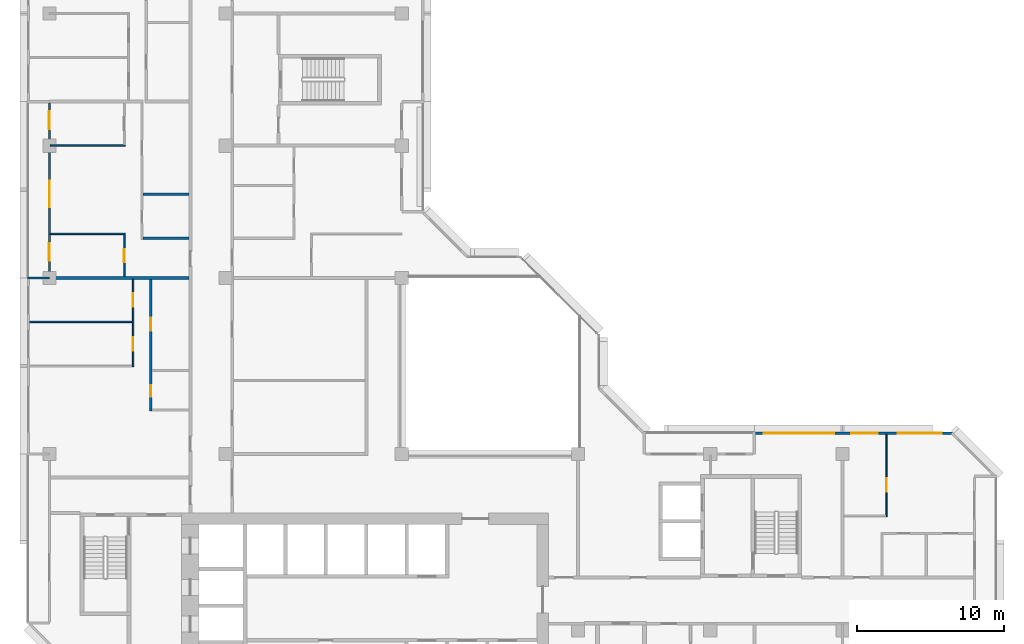
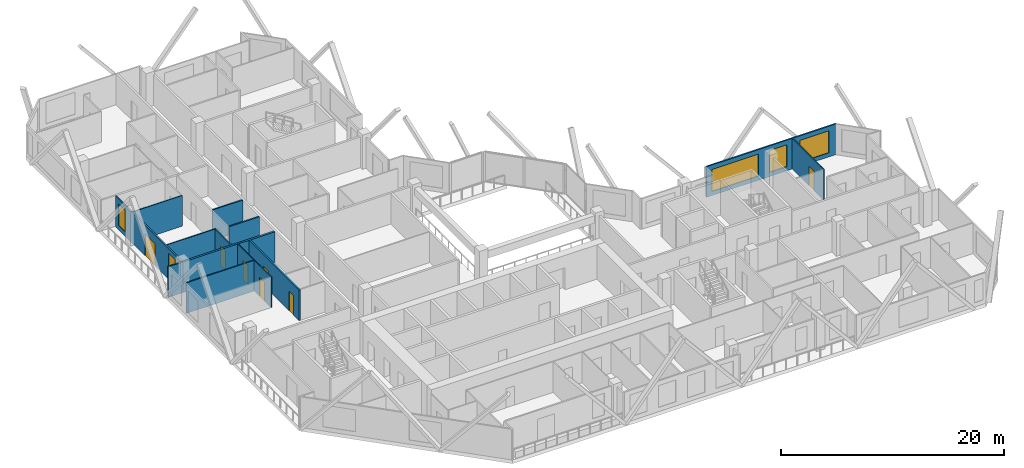
# One storey, part 8 of 14: 13 walls, 7 doors, 5 windows, 12 openings.
"""IFC4 building model written with IfcOpenShell, lengths in metres."""

from ifc_helpers import new_model, si_unit, direction, frame, frame_2d, origin, place, context, subcontext, project, spatial, rectangle, extrude, material, layer, layer_set, type_object, element, fill, save


model = new_model("IFC4")

# Units and contexts
model_context = context("Model", 3, precision=1e-05, world=origin(), true_north=direction((0.0, 1.0)))
body_context = subcontext(model_context, "Body", "Model", "MODEL_VIEW")
ifc_project = project(units=[si_unit("LENGTHUNIT", "METRE"), si_unit("AREAUNIT", "SQUARE_METRE"), si_unit("VOLUMEUNIT", "CUBIC_METRE"), si_unit("PLANEANGLEUNIT", "RADIAN"), si_unit("MASSUNIT", "GRAM", prefix="KILO")], contexts=[model_context])

# Site, building, storey
site_placement = place(None, origin())
site = spatial("IfcSite", under=ifc_project, at=site_placement, CompositionType="ELEMENT")
building_placement = place(site_placement, origin())
building = spatial("IfcBuilding", under=site, at=building_placement, Name="Chenar Terraces", CompositionType="ELEMENT")
storey_placement = place(building_placement, frame((0.0, 0.0, 179.89990234375)))
storey = spatial("IfcBuildingStorey", under=building, at=storey_placement, Name="L41", CompositionType="ELEMENT", Elevation=179.89990234375)

# Wall, openings, windows
ifc_material_1 = material(Name="Aluminium framed glazing", Category="aluminium")
ifc_layer_1 = layer(ifc_material_1, 0.14990234375)
ifc_layer_set_1 = layer_set([ifc_layer_1], Name="Aluminium framed glazing")
wall_type_1 = type_object("IfcWallType", Name="Glazed flush facade wall 150", PredefinedType="SOLIDWALL", material=ifc_layer_set_1)
wall_1_placement = place(storey_placement, frame((61.5, 25.425048828125, 0.0), z_axis=(0.0, 0.0, 1.0), x_axis=(-1.0, 0.0, 0.0)))
wall_1 = element("IfcWall", 1, at=wall_1_placement, inside=storey, type_object=wall_type_1, Name="Glazed flush facade wall", PredefinedType="SOLIDWALL", context=body_context, shape_type="SweptSolid", body=[
    extrude(rectangle(XDim=13.425048828125, YDim=0.14990234375, at=frame_2d((6.71240234375, 0.0))), origin(), (0.0, 0.0, 1.0), 3.35009765625),
])
opening_1_placement = place(wall_1_placement, frame((0.75, 0.0, 0.449951171875)))
opening_1 = element("IfcOpeningElement", 2, at=opening_1_placement, cuts=wall_1, Name="Opening W300x240", PredefinedType="OPENING", context=body_context, shape_type="SweptSolid", body=[
    extrude(rectangle(XDim=3.0, YDim=2.39990234375, at=frame_2d((1.5, 1.199951171875))), frame((0.0, 0.0849609375, 0.0), z_axis=(0.0, -1.0, 0.0), x_axis=(1.0, 0.0, 0.0)), (0.0, 0.0, 1.0), 0.169921875),
])
opening_2_placement = place(wall_1_placement, frame((5.10009765625, 0.0, 0.449951171875)))
opening_2 = element("IfcOpeningElement", 3, at=opening_2_placement, cuts=wall_1, Name="Opening W180x240", PredefinedType="OPENING", context=body_context, shape_type="SweptSolid", body=[
    extrude(rectangle(XDim=1.800048828125, YDim=2.39990234375, at=frame_2d((0.89990234375, 1.199951171875))), frame((0.0, 0.0849609375, 0.0), z_axis=(0.0, -1.0, 0.0), x_axis=(1.0, 0.0, 0.0)), (0.0, 0.0, 1.0), 0.169921875),
])
opening_3_placement = place(wall_1_placement, frame((8.0625, 0.0, 0.449951171875)))
opening_3 = element("IfcOpeningElement", 4, at=opening_3_placement, cuts=wall_1, Name="Opening W480x240", PredefinedType="OPENING", context=body_context, shape_type="SweptSolid", body=[
    extrude(rectangle(XDim=4.800048828125, YDim=2.39990234375, at=frame_2d((2.39990234375, 1.199951171875))), frame((0.0, 0.0849609375, 0.0), z_axis=(0.0, -1.0, 0.0), x_axis=(1.0, 0.0, 0.0)), (0.0, 0.0, 1.0), 0.169921875),
])
ifc_material_2 = material(Name="Low emissivity double glazing, aluminium frame", Category="aluminium")
window_type_1 = type_object("IfcWindowType", Name="Fixed light 1800 x 2400", PartitioningType="SINGLE_PANEL", PredefinedType="WINDOW", material=ifc_material_2)
window_1_placement = place(opening_2_placement, origin())
window_1 = element("IfcWindow", 5, at=window_1_placement, inside=storey, type_object=window_type_1, Name="Window", OverallHeight=2.39990234375, OverallWidth=1.800048828125, PartitioningType="SINGLE_PANEL", PredefinedType="WINDOW", context=body_context, shape_type="SweptSolid", body=[
    extrude(rectangle(XDim=1.800048828125, YDim=2.39990234375, at=frame_2d((0.89990234375, 1.199951171875))), frame((0.0, 0.030029296875, 0.0), z_axis=(0.0, -1.0, 0.0), x_axis=(1.0, 0.0, 0.0)), (0.0, 0.0, 1.0), 0.06005859375),
])
fill(opening_2, window_1)
ifc_material_3 = material(Name="Low emissivity double glazing, aluminium frame", Category="aluminium")
window_type_2 = type_object("IfcWindowType", Name="Fixed light 3000 x 2400", PartitioningType="SINGLE_PANEL", PredefinedType="WINDOW", material=ifc_material_3)
window_2_placement = place(opening_1_placement, origin())
window_2 = element("IfcWindow", 6, at=window_2_placement, inside=storey, type_object=window_type_2, Name="Window", OverallHeight=2.39990234375, OverallWidth=3.0, PartitioningType="SINGLE_PANEL", PredefinedType="WINDOW", context=body_context, shape_type="SweptSolid", body=[
    extrude(rectangle(XDim=3.0, YDim=2.39990234375, at=frame_2d((1.5, 1.199951171875))), frame((0.0, 0.030029296875, 0.0), z_axis=(0.0, -1.0, 0.0), x_axis=(1.0, 0.0, 0.0)), (0.0, 0.0, 1.0), 0.06005859375),
])
fill(opening_1, window_2)
ifc_material_4 = material(Name="Low emissivity double glazing, aluminium frame", Category="aluminium")
window_type_3 = type_object("IfcWindowType", Name="Fixed light 4800 x 2400", PartitioningType="SINGLE_PANEL", PredefinedType="WINDOW", material=ifc_material_4)
window_3_placement = place(opening_3_placement, origin())
window_3 = element("IfcWindow", 7, at=window_3_placement, inside=storey, type_object=window_type_3, Name="Window", OverallHeight=2.39990234375, OverallWidth=4.800048828125, PartitioningType="SINGLE_PANEL", PredefinedType="WINDOW", context=body_context, shape_type="SweptSolid", body=[
    extrude(rectangle(XDim=4.800048828125, YDim=2.39990234375, at=frame_2d((2.39990234375, 1.199951171875))), frame((0.0, 0.030029296875, 0.0), z_axis=(0.0, -1.0, 0.0), x_axis=(1.0, 0.0, 0.0)), (0.0, 0.0, 1.0), 0.06005859375),
])
fill(opening_3, window_3)

# Wall, openings, windows, door
ifc_material_5 = material(Name="Aluminium framed glazing", Category="aluminium")
ifc_layer_2 = layer(ifc_material_5, 0.14990234375)
ifc_layer_set_2 = layer_set([ifc_layer_2], Name="Aluminium framed glazing")
wall_type_2 = type_object("IfcWallType", Name="Glazed loggia back wall 150", PredefinedType="SOLIDWALL", material=ifc_layer_set_2)
wall_2_placement = place(storey_placement, frame((0.0, 47.925048828125, 0.0), z_axis=(0.0, 0.0, 1.0), x_axis=(0.0, -1.0, 0.0)))
wall_2 = element("IfcWall", 8, at=wall_2_placement, inside=storey, type_object=wall_type_2, Name="Glazed loggia back wall", PredefinedType="SOLIDWALL", context=body_context, shape_type="SweptSolid", body=[
    extrude(rectangle(XDim=11.85009765625, YDim=0.14990234375, at=frame_2d((5.925048828125, 0.0))), origin(), (0.0, 0.0, 1.0), 3.35009765625),
])
opening_4_placement = place(wall_2_placement, frame((0.58740234375, 0.0, 0.449951171875)))
opening_4 = element("IfcOpeningElement", 9, at=opening_4_placement, cuts=wall_2, Name="Opening W120x240", PredefinedType="OPENING", context=body_context, shape_type="SweptSolid", body=[
    extrude(rectangle(XDim=1.199951171875, YDim=2.39990234375, at=frame_2d((0.60009765625, 1.199951171875))), frame((0.0, 0.0849609375, 0.0), z_axis=(0.0, -1.0, 0.0), x_axis=(1.0, 0.0, 0.0)), (0.0, 0.0, 1.0), 0.169921875),
])
opening_5_placement = place(wall_2_placement, frame((5.300048828125, 0.0, 0.0)))
opening_5 = element("IfcOpeningElement", 10, at=opening_5_placement, cuts=wall_2, Name="Opening DL41-G3", PredefinedType="OPENING", context=body_context, shape_type="SweptSolid", body=[
    extrude(rectangle(XDim=1.800048828125, YDim=2.39990234375, at=frame_2d((0.89990234375, 1.199951171875))), frame((0.0, 0.0849609375, 0.0), z_axis=(0.0, -1.0, 0.0), x_axis=(1.0, 0.0, 0.0)), (0.0, 0.0, 1.0), 0.169921875),
])
opening_6_placement = place(wall_2_placement, frame((9.550048828125, 0.0, 0.449951171875)))
opening_6 = element("IfcOpeningElement", 11, at=opening_6_placement, cuts=wall_2, Name="Opening W120x240", PredefinedType="OPENING", context=body_context, shape_type="SweptSolid", body=[
    extrude(rectangle(XDim=1.199951171875, YDim=2.39990234375, at=frame_2d((0.60009765625, 1.199951171875))), frame((0.0, 0.0849609375, 0.0), z_axis=(0.0, -1.0, 0.0), x_axis=(1.0, 0.0, 0.0)), (0.0, 0.0, 1.0), 0.169921875),
])
ifc_material_6 = material(Name="Low emissivity double glazing, aluminium frame", Category="aluminium")
window_type_4 = type_object("IfcWindowType", Name="Fixed light 1200 x 2400", PartitioningType="SINGLE_PANEL", PredefinedType="WINDOW", material=ifc_material_6)
window_4_placement = place(opening_4_placement, origin())
window_4 = element("IfcWindow", 12, at=window_4_placement, inside=storey, type_object=window_type_4, Name="Window", OverallHeight=2.39990234375, OverallWidth=1.199951171875, PartitioningType="SINGLE_PANEL", PredefinedType="WINDOW", context=body_context, shape_type="SweptSolid", body=[
    extrude(rectangle(XDim=1.199951171875, YDim=2.39990234375, at=frame_2d((0.60009765625, 1.199951171875))), frame((0.0, 0.030029296875, 0.0), z_axis=(0.0, -1.0, 0.0), x_axis=(1.0, 0.0, 0.0)), (0.0, 0.0, 1.0), 0.06005859375),
])
fill(opening_4, window_4)
window_5_placement = place(opening_6_placement, origin())
window_5 = element("IfcWindow", 13, at=window_5_placement, inside=storey, type_object=window_type_4, Name="Window", OverallHeight=2.39990234375, OverallWidth=1.199951171875, PartitioningType="SINGLE_PANEL", PredefinedType="WINDOW", context=body_context, shape_type="SweptSolid", body=[
    extrude(rectangle(XDim=1.199951171875, YDim=2.39990234375, at=frame_2d((0.60009765625, 1.199951171875))), frame((0.0, 0.030029296875, 0.0), z_axis=(0.0, -1.0, 0.0), x_axis=(1.0, 0.0, 0.0)), (0.0, 0.0, 1.0), 0.06005859375),
])
fill(opening_6, window_5)
ifc_material_7 = material(Name="Low emissivity double glazing, aluminium frame", Category="aluminium")
door_type_1 = type_object("IfcDoorType", Name="Loggia glazed double door 1800 x 2400", OperationType="DOUBLE_DOOR_SINGLE_SWING", PredefinedType="DOOR", material=ifc_material_7)
door_1_placement = place(opening_5_placement, frame((1.800048828125, 0.0, 0.0), z_axis=(0.0, 0.0, 1.0), x_axis=(-1.0, 0.0, 0.0)))
door_1 = element("IfcDoor", 14, at=door_1_placement, inside=storey, type_object=door_type_1, Name="Loggia glazed door", OperationType="DOUBLE_DOOR_SINGLE_SWING", OverallHeight=2.39990234375, OverallWidth=1.800048828125, PredefinedType="DOOR", context=body_context, shape_type="SweptSolid", body=[
    extrude(rectangle(XDim=1.800048828125, YDim=2.39990234375, at=frame_2d((0.89990234375, 1.199951171875))), frame((0.0, 0.02490234375, 0.0), z_axis=(0.0, -1.0, 0.0), x_axis=(1.0, 0.0, 0.0)), (0.0, 0.0, 1.0), 0.050048828125),
])
fill(opening_5, door_1)

# Walls
ifc_material_8 = material(Name="Gypsum board on steel studs", Category="steel")
ifc_layer_3 = layer(ifc_material_8, 0.10009765625)
ifc_layer_set_3 = layer_set([ifc_layer_3], Name="Gypsum board on steel studs")
wall_type_3 = type_object("IfcWallType", Name="Gypsum partition 100", PredefinedType="PARTITIONING", material=ifc_layer_set_3)
wall_3_placement = place(storey_placement, frame((-1.35107421875, 33.0, 0.0), z_axis=(0.0, 0.0, 1.0), x_axis=(1.0, 0.0, 0.0)))
element("IfcWall", 15, at=wall_3_placement, inside=storey, type_object=wall_type_3, Name="Partition L41-001", PredefinedType="PARTITIONING", context=body_context, shape_type="SweptSolid", body=[
    extrude(rectangle(XDim=7.0009765625, YDim=0.10009765625, at=frame_2d((3.50048828125, 0.0))), origin(), (0.0, 0.0, 1.0), 3.35009765625),
])
for number, where, z_axis, x_axis, name in (
    (16, (0.073974609375, 39.0, 0.0), (0.0, 0.0, 1.0), (1.0, 0.0, 0.0), "Partition L41-010"),
    (17, (0.073974609375, 45.0, 0.0), (0.0, 0.0, 1.0), (1.0, 0.0, 0.0), "Partition L41-011"),
):
    element("IfcWall", number, at=place(storey_placement, frame(where, z_axis=z_axis, x_axis=x_axis)), inside=storey, type_object=wall_type_3, Name=name, PredefinedType="PARTITIONING", context=body_context, shape_type="SweptSolid", body=[
        extrude(rectangle(XDim=5.075927734375, YDim=0.10009765625, at=frame_2d((2.5380859375, 0.0))), origin(), (0.0, 0.0, 1.0), 3.35009765625),
    ])

# Wall, opening, door
wall_4_placement = place(storey_placement, frame((5.10009765625, 36.10009765625, 0.0), z_axis=(0.0, 0.0, 1.0), x_axis=(0.0, 1.0, 0.0)))
wall_4 = element("IfcWall", 18, at=wall_4_placement, inside=storey, type_object=wall_type_3, Name="Partition L41-013", PredefinedType="PARTITIONING", context=body_context, shape_type="SweptSolid", body=[
    extrude(rectangle(XDim=2.849853515625, YDim=0.10009765625, at=frame_2d((1.4248046875, 0.0))), origin(), (0.0, 0.0, 1.0), 3.35009765625),
])
opening_7_placement = place(wall_4_placement, frame((0.949951171875, 0.0, 0.0)))
opening_7 = element("IfcOpeningElement", 19, at=opening_7_placement, cuts=wall_4, Name="Opening DL41-24", PredefinedType="OPENING", context=body_context, shape_type="SweptSolid", body=[
    extrude(rectangle(XDim=0.89990234375, YDim=2.10009765625, at=frame_2d((0.449951171875, 1.050048828125))), frame((0.0, 0.06005859375, 0.0), z_axis=(0.0, -1.0, 0.0), x_axis=(1.0, 0.0, 0.0)), (0.0, 0.0, 1.0), 0.1201171875),
])
ifc_material_9 = material(Name="Veneered timber door leaf", Category="wood")
door_type_2 = type_object("IfcDoorType", Name="Door 900 x 2100", OperationType="SINGLE_SWING_LEFT", PredefinedType="DOOR", material=ifc_material_9)
door_2_placement = place(opening_7_placement, origin())
door_2 = element("IfcDoor", 20, at=door_2_placement, inside=storey, type_object=door_type_2, Name="Door DL41-24", OperationType="SINGLE_SWING_RIGHT", OverallHeight=2.10009765625, OverallWidth=0.89990234375, PredefinedType="DOOR", context=body_context, shape_type="SweptSolid", body=[
    extrude(rectangle(XDim=0.89990234375, YDim=2.10009765625, at=frame_2d((0.449951171875, 1.050048828125))), frame((0.0, 0.02490234375, 0.0), z_axis=(0.0, -1.0, 0.0), x_axis=(1.0, 0.0, 0.0)), (0.0, 0.0, 1.0), 0.050048828125),
])
fill(opening_7, door_2)

# Wall, openings, doors
wall_5_placement = place(storey_placement, frame((5.699951171875, 29.949951171875, 0.0), z_axis=(0.0, 0.0, 1.0), x_axis=(0.0, 1.0, 0.0)))
wall_5 = element("IfcWall", 21, at=wall_5_placement, inside=storey, type_object=wall_type_3, Name="Partition L41-018", PredefinedType="PARTITIONING", context=body_context, shape_type="SweptSolid", body=[
    extrude(rectangle(XDim=5.949951171875, YDim=0.10009765625, at=frame_2d((2.97509765625, 0.0))), origin(), (0.0, 0.0, 1.0), 3.35009765625),
])
opening_8_placement = place(wall_5_placement, frame((1.10009765625, 0.0, 0.0)))
opening_8 = element("IfcOpeningElement", 22, at=opening_8_placement, cuts=wall_5, Name="Opening DL41-54", PredefinedType="OPENING", context=body_context, shape_type="SweptSolid", body=[
    extrude(rectangle(XDim=0.89990234375, YDim=2.10009765625, at=frame_2d((0.449951171875, 1.050048828125))), frame((0.0, 0.06005859375, 0.0), z_axis=(0.0, -1.0, 0.0), x_axis=(1.0, 0.0, 0.0)), (0.0, 0.0, 1.0), 0.1201171875),
])
opening_9_placement = place(wall_5_placement, frame((4.10009765625, 0.0, 0.0)))
opening_9 = element("IfcOpeningElement", 23, at=opening_9_placement, cuts=wall_5, Name="Opening DL41-55", PredefinedType="OPENING", context=body_context, shape_type="SweptSolid", body=[
    extrude(rectangle(XDim=0.89990234375, YDim=2.10009765625, at=frame_2d((0.449951171875, 1.050048828125))), frame((0.0, 0.06005859375, 0.0), z_axis=(0.0, -1.0, 0.0), x_axis=(1.0, 0.0, 0.0)), (0.0, 0.0, 1.0), 0.1201171875),
])
door_3_placement = place(opening_8_placement, origin())
door_3 = element("IfcDoor", 24, at=door_3_placement, inside=storey, type_object=door_type_2, Name="Door DL41-54", OperationType="SINGLE_SWING_LEFT", OverallHeight=2.10009765625, OverallWidth=0.89990234375, PredefinedType="DOOR", context=body_context, shape_type="SweptSolid", body=[
    extrude(rectangle(XDim=0.89990234375, YDim=2.10009765625, at=frame_2d((0.449951171875, 1.050048828125))), frame((0.0, 0.02490234375, 0.0), z_axis=(0.0, -1.0, 0.0), x_axis=(1.0, 0.0, 0.0)), (0.0, 0.0, 1.0), 0.050048828125),
])
fill(opening_8, door_3)
door_4_placement = place(opening_9_placement, origin())
door_4 = element("IfcDoor", 25, at=door_4_placement, inside=storey, type_object=door_type_2, Name="Door DL41-55", OperationType="SINGLE_SWING_RIGHT", OverallHeight=2.10009765625, OverallWidth=0.89990234375, PredefinedType="DOOR", context=body_context, shape_type="SweptSolid", body=[
    extrude(rectangle(XDim=0.89990234375, YDim=2.10009765625, at=frame_2d((0.449951171875, 1.050048828125))), frame((0.0, 0.02490234375, 0.0), z_axis=(0.0, -1.0, 0.0), x_axis=(1.0, 0.0, 0.0)), (0.0, 0.0, 1.0), 0.050048828125),
])
fill(opening_9, door_4)

# Wall, opening, door
wall_6_placement = place(storey_placement, frame((57.0, 19.75, 0.0), z_axis=(0.0, 0.0, 1.0), x_axis=(0.0, 1.0, 0.0)))
wall_6 = element("IfcWall", 26, at=wall_6_placement, inside=storey, type_object=wall_type_3, Name="Partition L41-082", PredefinedType="PARTITIONING", context=body_context, shape_type="SweptSolid", body=[
    extrude(rectangle(XDim=5.60009765625, YDim=0.10009765625, at=frame_2d((2.800048828125, 0.0))), origin(), (0.0, 0.0, 1.0), 3.35009765625),
])
opening_10_placement = place(wall_6_placement, frame((1.699951171875, 0.0, 0.0)))
opening_10 = element("IfcOpeningElement", 27, at=opening_10_placement, cuts=wall_6, Name="Opening DL41-5", PredefinedType="OPENING", context=body_context, shape_type="SweptSolid", body=[
    extrude(rectangle(XDim=0.89990234375, YDim=2.10009765625, at=frame_2d((0.449951171875, 1.050048828125))), frame((0.0, 0.06005859375, 0.0), z_axis=(0.0, -1.0, 0.0), x_axis=(1.0, 0.0, 0.0)), (0.0, 0.0, 1.0), 0.1201171875),
])
door_5_placement = place(opening_10_placement, origin())
door_5 = element("IfcDoor", 28, at=door_5_placement, inside=storey, type_object=door_type_2, Name="Door DL41-5", OperationType="SINGLE_SWING_LEFT", OverallHeight=2.10009765625, OverallWidth=0.89990234375, PredefinedType="DOOR", context=body_context, shape_type="SweptSolid", body=[
    extrude(rectangle(XDim=0.89990234375, YDim=2.10009765625, at=frame_2d((0.449951171875, 1.050048828125))), frame((0.0, 0.02490234375, 0.0), z_axis=(0.0, -1.0, 0.0), x_axis=(1.0, 0.0, 0.0)), (0.0, 0.0, 1.0), 0.050048828125),
])
fill(opening_10, door_5)

# Walls
ifc_material_10 = material(Name="Terracotta cladding on insulated backing", Category="masonry")
ifc_layer_4 = layer(ifc_material_10, 0.14990234375)
ifc_layer_set_4 = layer_set([ifc_layer_4], Name="Terracotta cladding on insulated backing")
wall_type_4 = type_object("IfcWallType", Name="Loggia return wall 150", PredefinedType="SOLIDWALL", material=ifc_layer_set_4)
wall_7_placement = place(storey_placement, frame((-1.5, 36.0, 0.0), z_axis=(0.0, 0.0, 1.0), x_axis=(1.0, 0.0, 0.0)))
element("IfcWall", 29, at=wall_7_placement, inside=storey, type_object=wall_type_4, Name="Loggia return wall", PredefinedType="SOLIDWALL", context=body_context, shape_type="SweptSolid", body=[
    extrude(rectangle(XDim=1.5, YDim=0.14990234375, at=frame_2d((0.75, 0.0))), origin(), (0.0, 0.0, 1.0), 3.35009765625),
])
ifc_material_11 = material(Name="Twin gypsum board on steel studs with mineral wool", Category="steel")
ifc_layer_5 = layer(ifc_material_11, 0.199951171875)
ifc_layer_set_5 = layer_set([ifc_layer_5], Name="Twin gypsum board on steel studs with mineral wool")
wall_type_5 = type_object("IfcWallType", Name="Unit demising wall 200", PredefinedType="PARTITIONING", material=ifc_layer_set_5)
wall_8_placement = place(storey_placement, frame((0.0, 36.0, 0.0), z_axis=(0.0, 0.0, 1.0), x_axis=(1.0, 0.0, 0.0)))
element("IfcWall", 30, at=wall_8_placement, inside=storey, type_object=wall_type_5, Name="Partition L41-003", PredefinedType="PARTITIONING", context=body_context, shape_type="SweptSolid", body=[
    extrude(rectangle(XDim=9.5, YDim=0.199951171875, at=frame_2d((4.75, 0.0))), origin(), (0.0, 0.0, 1.0), 3.35009765625),
])
ifc_material_12 = material(Name="Moisture-resistant gypsum board on steel studs", Category="steel")
ifc_layer_6 = layer(ifc_material_12, 0.14990234375)
ifc_layer_set_6 = layer_set([ifc_layer_6], Name="Moisture-resistant gypsum board on steel studs")
wall_type_6 = type_object("IfcWallType", Name="Wet-room partition 150", PredefinedType="PARTITIONING", material=ifc_layer_set_6)
for number, where, z_axis, x_axis, name in (
    (31, (6.375, 38.699951171875, 0.0), (0.0, 0.0, 1.0), (1.0, 0.0, 0.0), "Partition L41-020"),
    (32, (6.375, 41.699951171875, 0.0), (0.0, 0.0, 1.0), (1.0, 0.0, 0.0), "Partition L41-021"),
):
    element("IfcWall", number, at=place(storey_placement, frame(where, z_axis=z_axis, x_axis=x_axis)), inside=storey, type_object=wall_type_6, Name=name, PredefinedType="PARTITIONING", context=body_context, shape_type="SweptSolid", body=[
        extrude(rectangle(XDim=3.125, YDim=0.14990234375, at=frame_2d((1.5625, 0.0))), origin(), (0.0, 0.0, 1.0), 3.35009765625),
    ])

# Wall, openings, doors
wall_9_placement = place(storey_placement, frame((6.89990234375, 26.925048828125, 0.0), z_axis=(0.0, 0.0, 1.0), x_axis=(0.0, 1.0, 0.0)))
wall_9 = element("IfcWall", 33, at=wall_9_placement, inside=storey, type_object=wall_type_6, Name="Partition L41-026", PredefinedType="PARTITIONING", context=body_context, shape_type="SweptSolid", body=[
    extrude(rectangle(XDim=8.974853515625, YDim=0.14990234375, at=frame_2d((4.4873046875, 0.0))), origin(), (0.0, 0.0, 1.0), 3.35009765625),
])
opening_11_placement = place(wall_9_placement, frame((0.97509765625, 0.0, 0.0)))
opening_11 = element("IfcOpeningElement", 34, at=opening_11_placement, cuts=wall_9, Name="Opening DL41-53", PredefinedType="OPENING", context=body_context, shape_type="SweptSolid", body=[
    extrude(rectangle(XDim=0.800048828125, YDim=2.10009765625, at=frame_2d((0.39990234375, 1.050048828125))), frame((0.0, 0.0849609375, 0.0), z_axis=(0.0, -1.0, 0.0), x_axis=(1.0, 0.0, 0.0)), (0.0, 0.0, 1.0), 0.169921875),
])
opening_12_placement = place(wall_9_placement, frame((5.47509765625, 0.0, 0.0)))
opening_12 = element("IfcOpeningElement", 35, at=opening_12_placement, cuts=wall_9, Name="Opening DL41-56", PredefinedType="OPENING", context=body_context, shape_type="SweptSolid", body=[
    extrude(rectangle(XDim=0.89990234375, YDim=2.10009765625, at=frame_2d((0.449951171875, 1.050048828125))), frame((0.0, 0.0849609375, 0.0), z_axis=(0.0, -1.0, 0.0), x_axis=(1.0, 0.0, 0.0)), (0.0, 0.0, 1.0), 0.169921875),
])
ifc_material_13 = material(Name="Veneered timber door leaf", Category="wood")
door_type_3 = type_object("IfcDoorType", Name="Door 800 x 2100", OperationType="SINGLE_SWING_LEFT", PredefinedType="DOOR", material=ifc_material_13)
door_6_placement = place(opening_11_placement, frame((0.800048828125, 0.0, 0.0), z_axis=(0.0, 0.0, 1.0), x_axis=(-1.0, 0.0, 0.0)))
door_6 = element("IfcDoor", 36, at=door_6_placement, inside=storey, type_object=door_type_3, Name="Door DL41-53", OperationType="SINGLE_SWING_RIGHT", OverallHeight=2.10009765625, OverallWidth=0.800048828125, PredefinedType="DOOR", context=body_context, shape_type="SweptSolid", body=[
    extrude(rectangle(XDim=0.800048828125, YDim=2.10009765625, at=frame_2d((0.39990234375, 1.050048828125))), frame((0.0, 0.02490234375, 0.0), z_axis=(0.0, -1.0, 0.0), x_axis=(1.0, 0.0, 0.0)), (0.0, 0.0, 1.0), 0.050048828125),
])
fill(opening_11, door_6)
door_7_placement = place(opening_12_placement, frame((0.89990234375, 0.0, 0.0), z_axis=(0.0, 0.0, 1.0), x_axis=(-1.0, 0.0, 0.0)))
door_7 = element("IfcDoor", 37, at=door_7_placement, inside=storey, type_object=door_type_2, Name="Door DL41-56", OperationType="SINGLE_SWING_RIGHT", OverallHeight=2.10009765625, OverallWidth=0.89990234375, PredefinedType="DOOR", context=body_context, shape_type="SweptSolid", body=[
    extrude(rectangle(XDim=0.89990234375, YDim=2.10009765625, at=frame_2d((0.449951171875, 1.050048828125))), frame((0.0, 0.02490234375, 0.0), z_axis=(0.0, -1.0, 0.0), x_axis=(1.0, 0.0, 0.0)), (0.0, 0.0, 1.0), 0.050048828125),
])
fill(opening_12, door_7)

save(model, "model.ifc")
